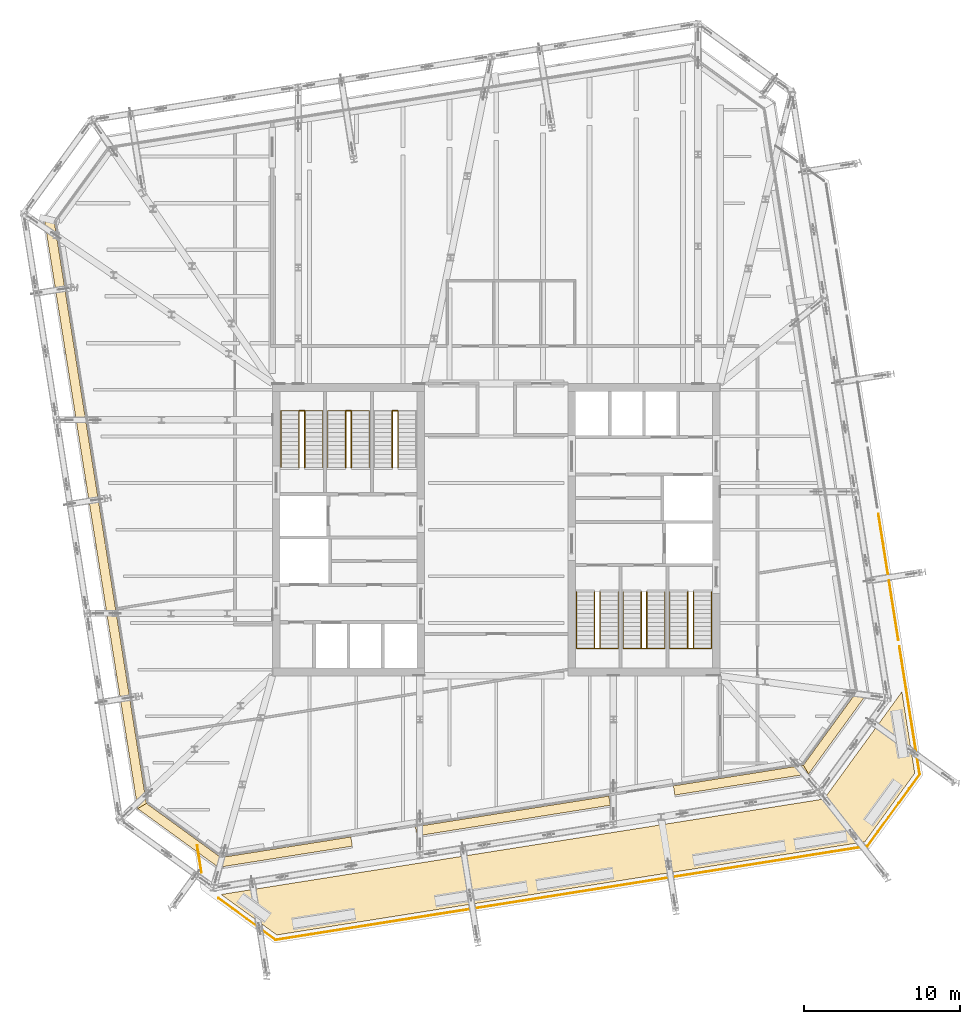
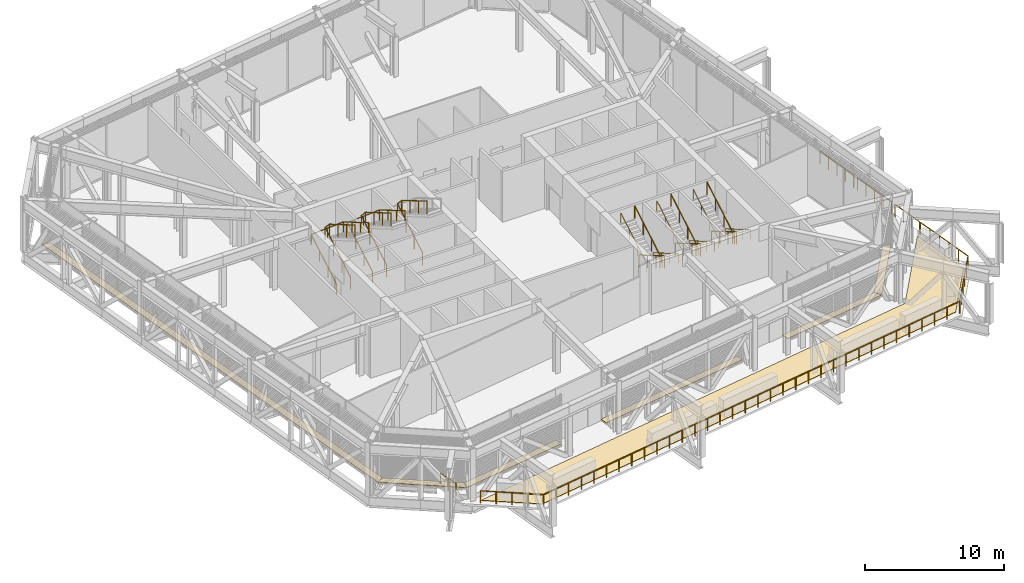
# One storey, part 33 of 35: 16 railings, 7 coverings.
"""IFC4 building model written with IfcOpenShell, lengths in metres."""

from ifc_helpers import new_model, si_unit, direction, frame, origin, origin_2d, place, context, subcontext, project, spatial, polyline, circle, outline, extrude, material, layer, layer_set, type_object, element, save


model = new_model("IFC4")

# Units and contexts
model_context = context("Model", 3, precision=1e-05, world=origin(), true_north=direction((0.0, 1.0)))
body_context = subcontext(model_context, "Body", "Model", "MODEL_VIEW")
ifc_project = project(units=[si_unit("LENGTHUNIT", "METRE"), si_unit("AREAUNIT", "SQUARE_METRE"), si_unit("VOLUMEUNIT", "CUBIC_METRE"), si_unit("PLANEANGLEUNIT", "RADIAN"), si_unit("MASSUNIT", "GRAM", prefix="KILO")], contexts=[model_context])

# Site, building, storey
site_placement = place(None, origin())
site = spatial("IfcSite", under=ifc_project, at=site_placement, CompositionType="ELEMENT")
building_placement = place(site_placement, origin())
building = spatial("IfcBuilding", under=site, at=building_placement, Name="Millrace Tower", CompositionType="ELEMENT")
storey_placement = place(building_placement, frame((0.0, 0.0, 200.10009765625)))
storey = spatial("IfcBuildingStorey", under=building, at=storey_placement, Name="L45", CompositionType="ELEMENT", Elevation=200.10009765625)

# Coverings
ifc_material_1 = material(Name="Steel ASTM A36", Category="steel")
ifc_layer_1 = layer(ifc_material_1, 0.050048828125)
ifc_layer_set_1 = layer_set([ifc_layer_1], Name="Steel ASTM A36")
covering_type_1 = type_object("IfcCoveringType", Name="CAVITY CATWALK steel grating", PredefinedType="FLOORING", material=ifc_layer_set_1)
placement = place(storey_placement, frame((0.0, 0.0, 0.099853515625)))
element("IfcCovering", 1, at=placement, inside=storey, type_object=covering_type_1, Name="Cavity catwalk grating D-F01 L45 1", PredefinedType="FLOORING", context=body_context, shape_type="SweptSolid", body=[
    extrude(outline(polyline([(-23.052490234375, -17.939453125), (-17.85888671875, -21.712890625), (-17.707275390625, -21.081298828125), (-22.49853515625, -17.60009765625), (-23.052490234375, -17.939453125)])), origin(), (0.0, 0.0, 1.0), 0.050048828125),
])
element("IfcCovering", 2, at=placement, inside=storey, type_object=covering_type_1, Name="Cavity catwalk grating D-F02 L45 1", PredefinedType="FLOORING", context=body_context, shape_type="SweptSolid", body=[
    extrude(outline(polyline([(-17.85888671875, -21.712890625), (-9.25537109375, -20.35009765625), (-9.349365234375, -19.757568359375), (-17.707275390625, -21.081298828125), (-17.85888671875, -21.712890625)])), origin(), (0.0, 0.0, 1.0), 0.050048828125),
])
element("IfcCovering", 3, at=placement, inside=storey, type_object=covering_type_1, Name="Cavity catwalk grating D-F02 L45 2", PredefinedType="FLOORING", context=body_context, shape_type="SweptSolid", body=[
    extrude(outline(polyline([(-5.107177734375, -19.693115234375), (7.337646484375, -17.72216796875), (7.243896484375, -17.12939453125), (-5.200927734375, -19.1005859375), (-5.107177734375, -19.693115234375)])), origin(), (0.0, 0.0, 1.0), 0.050048828125),
])
element("IfcCovering", 4, at=placement, inside=storey, type_object=covering_type_1, Name="Cavity catwalk grating D-F02 L45 3", PredefinedType="FLOORING", context=body_context, shape_type="SweptSolid", body=[
    extrude(outline(polyline([(11.486083984375, -17.06494140625), (20.08935546875, -15.702392578125), (19.750244140625, -15.148681640625), (11.39208984375, -16.472412109375), (11.486083984375, -17.06494140625)])), origin(), (0.0, 0.0, 1.0), 0.050048828125),
])
element("IfcCovering", 5, at=placement, inside=storey, type_object=covering_type_1, Name="Cavity catwalk grating D-F03 L45 1", PredefinedType="FLOORING", context=body_context, shape_type="SweptSolid", body=[
    extrude(outline(polyline([(20.08935546875, -15.702392578125), (23.86279296875, -10.5087890625), (23.231201171875, -10.357177734375), (19.750244140625, -15.148681640625), (20.08935546875, -15.702392578125)])), origin(), (0.0, 0.0, 1.0), 0.050048828125),
])
element("IfcCovering", 6, at=placement, inside=storey, type_object=covering_type_1, Name="Cavity catwalk grating D-F08 L45 1", PredefinedType="FLOORING", context=body_context, shape_type="SweptSolid", body=[
    extrude(outline(polyline([(-29.062744140625, 20.0087890625), (-23.052490234375, -17.939453125), (-22.49853515625, -17.60009765625), (-28.431396484375, 19.857177734375), (-29.062744140625, 20.0087890625)])), origin(), (0.0, 0.0, 1.0), 0.050048828125),
])
ifc_material_2 = material(Name="Bituminous roofing membrane on rigid insulation")
ifc_layer_2 = layer(ifc_material_2, 0.0400390625)
ifc_layer_set_2 = layer_set([ifc_layer_2], Name="Bituminous roofing membrane on rigid insulation")
covering_type_2 = type_object("IfcCoveringType", Name="Roofing membrane and insulation 40 mm", PredefinedType="ROOFING", material=ifc_layer_set_2)
covering_7_placement = place(storey_placement, origin())
element("IfcCovering", 7, at=covering_7_placement, inside=storey, type_object=covering_type_2, Name="Roofing membrane and insulation T-L44-1", PredefinedType="ROOFING", context=body_context, shape_type="SweptSolid", body=[
    extrude(outline(polyline([(21.0791015625, -17.3173828125), (-17.692138671875, -23.458251953125), (-14.109130859375, -26.0615234375), (23.705322265625, -20.072265625), (26.911376953125, -15.6591796875), (26.083251953125, -10.429931640625), (21.0791015625, -17.3173828125)])), origin(), (0.0, 0.0, 1.0), 0.039794921875),
])

# Railings
ifc_material_3 = material(Name="Stainless steel ASTM A240 type 316", Category="steel")
railing_type_1 = type_object("IfcRailingType", Name="Stair guard 1100", PredefinedType="GUARDRAIL", material=ifc_material_3)
for number, where, name in (
    (8, (-12.679931640625, 4.0, 0.164306640625), "Stair guard 1 W L45"),
    (9, (-9.679931640625, 4.0, 0.164306640625), "Stair guard 2 W L45"),
    (10, (-6.679931640625, 4.0, 0.164306640625), "Stair guard 3 W L45"),
):
    element("IfcRailing", number, at=place(storey_placement, frame(where)), inside=storey, type_object=railing_type_1, Name=name, PredefinedType="GUARDRAIL", context=body_context, shape_type="SweptSolid", body=[
        extrude(circle(Radius=0.02392578125, at=origin_2d()), frame((0.0, 0.0, 1.076171875), z_axis=(0.0, 0.862515142463, 0.50603125301), x_axis=(-1.0, 0.0, 0.0)), (0.0, 0.0, 1.0), 4.219970703125),
        extrude(circle(Radius=0.02392578125, at=origin_2d()), frame((0.0, 3.639892578125, 3.21142578125), z_axis=(0.90966772904, 0.0, 0.415336758239), x_axis=(0.0, 1.0, 0.0)), (0.0, 0.0, 1.0), 0.3955078125),
        extrude(circle(Radius=0.02392578125, at=origin_2d()), frame((0.35986328125, 3.639892578125, 3.3759765625), z_axis=(0.0, -0.862489892076, 0.506074289079), x_axis=(1.0, 0.0, 0.0)), (0.0, 0.0, 1.0), 4.22021484375),
        extrude(circle(Radius=0.02099609375, at=origin_2d()), origin(), (0.0, 0.0, 1.0), 1.052001953125),
        extrude(circle(Radius=0.02099609375, at=origin_2d()), frame((0.0, 1.21337890625, 0.7119140625)), (0.0, 0.0, 1.0), 1.052001953125),
        extrude(circle(Radius=0.02099609375, at=origin_2d()), frame((0.0, 2.426513671875, 1.423583984375)), (0.0, 0.0, 1.0), 1.052001953125),
        extrude(circle(Radius=0.02099609375, at=origin_2d()), frame((0.0, 3.639892578125, 2.135498046875)), (0.0, 0.0, 1.0), 1.052001953125),
        extrude(circle(Radius=0.02099609375, at=origin_2d()), frame((0.35986328125, 3.639892578125, 2.2998046875)), (0.0, 0.0, 1.0), 1.052001953125),
        extrude(circle(Radius=0.02099609375, at=origin_2d()), frame((0.35986328125, 2.426513671875, 3.01171875)), (0.0, 0.0, 1.0), 1.052001953125),
        extrude(circle(Radius=0.02099609375, at=origin_2d()), frame((0.35986328125, 1.21337890625, 3.7236328125)), (0.0, 0.0, 1.0), 1.052001953125),
        extrude(circle(Radius=0.02099609375, at=origin_2d()), frame((0.35986328125, 0.0, 4.435546875)), (0.0, 0.0, 1.0), 1.052001953125),
    ])
for number, where, name in (
    (11, (12.679931640625, -4.0, 0.164306640625), "Stair guard 1 E L45"),
    (12, (9.679931640625, -4.0, 0.164306640625), "Stair guard 2 E L45"),
    (13, (6.679931640625, -4.0, 0.164306640625), "Stair guard 3 E L45"),
):
    element("IfcRailing", number, at=place(storey_placement, frame(where)), inside=storey, type_object=railing_type_1, Name=name, PredefinedType="GUARDRAIL", context=body_context, shape_type="SweptSolid", body=[
        extrude(circle(Radius=0.02392578125, at=origin_2d()), frame((0.0, 0.0, 1.076171875), z_axis=(0.0, -0.862515142463, 0.50603125301), x_axis=(1.0, 0.0, 0.0)), (0.0, 0.0, 1.0), 4.219970703125),
        extrude(circle(Radius=0.02392578125, at=origin_2d()), frame((0.0, -3.639892578125, 3.21142578125), z_axis=(-0.90966772904, 0.0, 0.415336758239), x_axis=(0.0, -1.0, 0.0)), (0.0, 0.0, 1.0), 0.3955078125),
        extrude(circle(Radius=0.02392578125, at=origin_2d()), frame((-0.35986328125, -3.639892578125, 3.3759765625), z_axis=(0.0, 0.862489892076, 0.506074289079), x_axis=(-1.0, 0.0, 0.0)), (0.0, 0.0, 1.0), 4.22021484375),
        extrude(circle(Radius=0.02099609375, at=origin_2d()), origin(), (0.0, 0.0, 1.0), 1.052001953125),
        extrude(circle(Radius=0.02099609375, at=origin_2d()), frame((0.0, -1.21337890625, 0.7119140625)), (0.0, 0.0, 1.0), 1.052001953125),
        extrude(circle(Radius=0.02099609375, at=origin_2d()), frame((0.0, -2.426513671875, 1.423583984375)), (0.0, 0.0, 1.0), 1.052001953125),
        extrude(circle(Radius=0.02099609375, at=origin_2d()), frame((0.0, -3.639892578125, 2.135498046875)), (0.0, 0.0, 1.0), 1.052001953125),
        extrude(circle(Radius=0.02099609375, at=origin_2d()), frame((-0.35986328125, -3.639892578125, 2.2998046875)), (0.0, 0.0, 1.0), 1.052001953125),
        extrude(circle(Radius=0.02099609375, at=origin_2d()), frame((-0.35986328125, -2.426513671875, 3.01171875)), (0.0, 0.0, 1.0), 1.052001953125),
        extrude(circle(Radius=0.02099609375, at=origin_2d()), frame((-0.35986328125, -1.21337890625, 3.7236328125)), (0.0, 0.0, 1.0), 1.052001953125),
        extrude(circle(Radius=0.02099609375, at=origin_2d()), frame((-0.35986328125, 0.0, 4.435546875)), (0.0, 0.0, 1.0), 1.052001953125),
    ])
ifc_material_4 = material(Name="Stainless steel ASTM A240 type 316", Category="steel")
railing_type_2 = type_object("IfcRailingType", Name="Stair handrail 900", PredefinedType="HANDRAIL", material=ifc_material_4)
railing_1_placement = place(storey_placement, frame((-13.840087890625, 4.0, 0.164306640625)))
element("IfcRailing", 14, at=railing_1_placement, inside=storey, type_object=railing_type_2, Name="Stair handrail 1 W L45", PredefinedType="HANDRAIL", context=body_context, shape_type="SweptSolid", body=[
    extrude(circle(Radius=0.02392578125, at=origin_2d()), frame((0.0, 0.0, 0.8759765625), z_axis=(0.0, 0.862515142463, 0.50603125301), x_axis=(-1.0, 0.0, 0.0)), (0.0, 0.0, 1.0), 4.219970703125),
    extrude(circle(Radius=0.02392578125, at=origin_2d()), frame((0.0, 3.639892578125, 3.01123046875), z_axis=(0.998126163697, 0.0, 0.061189552575), x_axis=(0.0, 1.0, 0.0)), (0.0, 0.0, 1.0), 2.685302734375),
    extrude(circle(Radius=0.02392578125, at=origin_2d()), frame((2.68017578125, 3.639892578125, 3.17578125), z_axis=(0.0, -0.862489892076, 0.506074289079), x_axis=(1.0, 0.0, 0.0)), (0.0, 0.0, 1.0), 4.22021484375),
    extrude(circle(Radius=0.02099609375, at=origin_2d()), origin(), (0.0, 0.0, 1.0), 0.851806640625),
    extrude(circle(Radius=0.02099609375, at=origin_2d()), frame((0.0, 1.21337890625, 0.7119140625)), (0.0, 0.0, 1.0), 0.851806640625),
    extrude(circle(Radius=0.02099609375, at=origin_2d()), frame((0.0, 2.426513671875, 1.423583984375)), (0.0, 0.0, 1.0), 0.851806640625),
    extrude(circle(Radius=0.02099609375, at=origin_2d()), frame((0.0, 3.639892578125, 2.135498046875)), (0.0, 0.0, 1.0), 0.851806640625),
    extrude(circle(Radius=0.02099609375, at=origin_2d()), frame((1.340087890625, 3.639892578125, 2.2177734375)), (0.0, 0.0, 1.0), 0.851806640625),
    extrude(circle(Radius=0.02099609375, at=origin_2d()), frame((2.68017578125, 3.639892578125, 2.2998046875)), (0.0, 0.0, 1.0), 0.851806640625),
    extrude(circle(Radius=0.02099609375, at=origin_2d()), frame((2.68017578125, 2.426513671875, 3.01171875)), (0.0, 0.0, 1.0), 0.851806640625),
    extrude(circle(Radius=0.02099609375, at=origin_2d()), frame((2.68017578125, 1.21337890625, 3.7236328125)), (0.0, 0.0, 1.0), 0.851806640625),
    extrude(circle(Radius=0.02099609375, at=origin_2d()), frame((2.68017578125, 0.0, 4.435546875)), (0.0, 0.0, 1.0), 0.851806640625),
])
railing_2_placement = place(storey_placement, frame((-10.840087890625, 4.0, 0.164306640625)))
element("IfcRailing", 15, at=railing_2_placement, inside=storey, type_object=railing_type_2, Name="Stair handrail 2 W L45", PredefinedType="HANDRAIL", context=body_context, shape_type="SweptSolid", body=[
    extrude(circle(Radius=0.02392578125, at=origin_2d()), frame((0.0, 0.0, 0.8759765625), z_axis=(0.0, 0.862515142463, 0.50603125301), x_axis=(-1.0, 0.0, 0.0)), (0.0, 0.0, 1.0), 4.219970703125),
    extrude(circle(Radius=0.02392578125, at=origin_2d()), frame((0.0, 3.639892578125, 3.01123046875), z_axis=(0.998126163697, 0.0, 0.061189552575), x_axis=(0.0, 1.0, 0.0)), (0.0, 0.0, 1.0), 2.685302734375),
    extrude(circle(Radius=0.02392578125, at=origin_2d()), frame((2.68017578125, 3.639892578125, 3.17578125), z_axis=(0.0, -0.862489892076, 0.506074289079), x_axis=(1.0, 0.0, 0.0)), (0.0, 0.0, 1.0), 4.22021484375),
    extrude(circle(Radius=0.02099609375, at=origin_2d()), origin(), (0.0, 0.0, 1.0), 0.851806640625),
    extrude(circle(Radius=0.02099609375, at=origin_2d()), frame((0.0, 1.21337890625, 0.7119140625)), (0.0, 0.0, 1.0), 0.851806640625),
    extrude(circle(Radius=0.02099609375, at=origin_2d()), frame((0.0, 2.426513671875, 1.423583984375)), (0.0, 0.0, 1.0), 0.851806640625),
    extrude(circle(Radius=0.02099609375, at=origin_2d()), frame((0.0, 3.639892578125, 2.135498046875)), (0.0, 0.0, 1.0), 0.851806640625),
    extrude(circle(Radius=0.02099609375, at=origin_2d()), frame((1.340087890625, 3.639892578125, 2.2177734375)), (0.0, 0.0, 1.0), 0.851806640625),
    extrude(circle(Radius=0.02099609375, at=origin_2d()), frame((2.68017578125, 3.639892578125, 2.2998046875)), (0.0, 0.0, 1.0), 0.851806640625),
    extrude(circle(Radius=0.02099609375, at=origin_2d()), frame((2.68017578125, 2.426513671875, 3.01171875)), (0.0, 0.0, 1.0), 0.851806640625),
    extrude(circle(Radius=0.02099609375, at=origin_2d()), frame((2.68017578125, 1.21337890625, 3.7236328125)), (0.0, 0.0, 1.0), 0.851806640625),
    extrude(circle(Radius=0.02099609375, at=origin_2d()), frame((2.68017578125, 0.0, 4.435546875)), (0.0, 0.0, 1.0), 0.851806640625),
])
railing_3_placement = place(storey_placement, frame((13.840087890625, -4.0, 0.164306640625)))
element("IfcRailing", 16, at=railing_3_placement, inside=storey, type_object=railing_type_2, Name="Stair handrail 1 E L45", PredefinedType="HANDRAIL", context=body_context, shape_type="SweptSolid", body=[
    extrude(circle(Radius=0.02392578125, at=origin_2d()), frame((0.0, 0.0, 0.8759765625), z_axis=(0.0, -0.862515142463, 0.50603125301), x_axis=(1.0, 0.0, 0.0)), (0.0, 0.0, 1.0), 4.219970703125),
    extrude(circle(Radius=0.02392578125, at=origin_2d()), frame((0.0, -3.639892578125, 3.01123046875), z_axis=(-0.998126163697, 0.0, 0.061189552575), x_axis=(0.0, -1.0, 0.0)), (0.0, 0.0, 1.0), 2.685302734375),
    extrude(circle(Radius=0.02392578125, at=origin_2d()), frame((-2.68017578125, -3.639892578125, 3.17578125), z_axis=(0.0, 0.862489892076, 0.506074289079), x_axis=(-1.0, 0.0, 0.0)), (0.0, 0.0, 1.0), 4.22021484375),
    extrude(circle(Radius=0.02099609375, at=origin_2d()), origin(), (0.0, 0.0, 1.0), 0.851806640625),
    extrude(circle(Radius=0.02099609375, at=origin_2d()), frame((0.0, -1.21337890625, 0.7119140625)), (0.0, 0.0, 1.0), 0.851806640625),
    extrude(circle(Radius=0.02099609375, at=origin_2d()), frame((0.0, -2.426513671875, 1.423583984375)), (0.0, 0.0, 1.0), 0.851806640625),
    extrude(circle(Radius=0.02099609375, at=origin_2d()), frame((0.0, -3.639892578125, 2.135498046875)), (0.0, 0.0, 1.0), 0.851806640625),
    extrude(circle(Radius=0.02099609375, at=origin_2d()), frame((-1.340087890625, -3.639892578125, 2.2177734375)), (0.0, 0.0, 1.0), 0.851806640625),
    extrude(circle(Radius=0.02099609375, at=origin_2d()), frame((-2.68017578125, -3.639892578125, 2.2998046875)), (0.0, 0.0, 1.0), 0.851806640625),
    extrude(circle(Radius=0.02099609375, at=origin_2d()), frame((-2.68017578125, -2.426513671875, 3.01171875)), (0.0, 0.0, 1.0), 0.851806640625),
    extrude(circle(Radius=0.02099609375, at=origin_2d()), frame((-2.68017578125, -1.21337890625, 3.7236328125)), (0.0, 0.0, 1.0), 0.851806640625),
    extrude(circle(Radius=0.02099609375, at=origin_2d()), frame((-2.68017578125, 0.0, 4.435546875)), (0.0, 0.0, 1.0), 0.851806640625),
])
railing_4_placement = place(storey_placement, frame((10.840087890625, -4.0, 0.164306640625)))
element("IfcRailing", 17, at=railing_4_placement, inside=storey, type_object=railing_type_2, Name="Stair handrail 2 E L45", PredefinedType="HANDRAIL", context=body_context, shape_type="SweptSolid", body=[
    extrude(circle(Radius=0.02392578125, at=origin_2d()), frame((0.0, 0.0, 0.8759765625), z_axis=(0.0, -0.862515142463, 0.50603125301), x_axis=(1.0, 0.0, 0.0)), (0.0, 0.0, 1.0), 4.219970703125),
    extrude(circle(Radius=0.02392578125, at=origin_2d()), frame((0.0, -3.639892578125, 3.01123046875), z_axis=(-0.998126163697, 0.0, 0.061189552575), x_axis=(0.0, -1.0, 0.0)), (0.0, 0.0, 1.0), 2.685302734375),
    extrude(circle(Radius=0.02392578125, at=origin_2d()), frame((-2.68017578125, -3.639892578125, 3.17578125), z_axis=(0.0, 0.862489892076, 0.506074289079), x_axis=(-1.0, 0.0, 0.0)), (0.0, 0.0, 1.0), 4.22021484375),
    extrude(circle(Radius=0.02099609375, at=origin_2d()), origin(), (0.0, 0.0, 1.0), 0.851806640625),
    extrude(circle(Radius=0.02099609375, at=origin_2d()), frame((0.0, -1.21337890625, 0.7119140625)), (0.0, 0.0, 1.0), 0.851806640625),
    extrude(circle(Radius=0.02099609375, at=origin_2d()), frame((0.0, -2.426513671875, 1.423583984375)), (0.0, 0.0, 1.0), 0.851806640625),
    extrude(circle(Radius=0.02099609375, at=origin_2d()), frame((0.0, -3.639892578125, 2.135498046875)), (0.0, 0.0, 1.0), 0.851806640625),
    extrude(circle(Radius=0.02099609375, at=origin_2d()), frame((-1.340087890625, -3.639892578125, 2.2177734375)), (0.0, 0.0, 1.0), 0.851806640625),
    extrude(circle(Radius=0.02099609375, at=origin_2d()), frame((-2.68017578125, -3.639892578125, 2.2998046875)), (0.0, 0.0, 1.0), 0.851806640625),
    extrude(circle(Radius=0.02099609375, at=origin_2d()), frame((-2.68017578125, -2.426513671875, 3.01171875)), (0.0, 0.0, 1.0), 0.851806640625),
    extrude(circle(Radius=0.02099609375, at=origin_2d()), frame((-2.68017578125, -1.21337890625, 3.7236328125)), (0.0, 0.0, 1.0), 0.851806640625),
    extrude(circle(Radius=0.02099609375, at=origin_2d()), frame((-2.68017578125, 0.0, 4.435546875)), (0.0, 0.0, 1.0), 0.851806640625),
])
railing_5_placement = place(storey_placement, frame((7.840087890625, -4.0, 0.164306640625)))
element("IfcRailing", 18, at=railing_5_placement, inside=storey, type_object=railing_type_2, Name="Stair handrail 3 E L45", PredefinedType="HANDRAIL", context=body_context, shape_type="SweptSolid", body=[
    extrude(circle(Radius=0.02392578125, at=origin_2d()), frame((0.0, 0.0, 0.8759765625), z_axis=(0.0, -0.862515142463, 0.50603125301), x_axis=(1.0, 0.0, 0.0)), (0.0, 0.0, 1.0), 4.219970703125),
    extrude(circle(Radius=0.02392578125, at=origin_2d()), frame((0.0, -3.639892578125, 3.01123046875), z_axis=(-0.998126163697, 0.0, 0.061189552575), x_axis=(0.0, -1.0, 0.0)), (0.0, 0.0, 1.0), 2.685302734375),
    extrude(circle(Radius=0.02392578125, at=origin_2d()), frame((-2.68017578125, -3.639892578125, 3.17578125), z_axis=(0.0, 0.862489892076, 0.506074289079), x_axis=(-1.0, 0.0, 0.0)), (0.0, 0.0, 1.0), 4.22021484375),
    extrude(circle(Radius=0.02099609375, at=origin_2d()), origin(), (0.0, 0.0, 1.0), 0.851806640625),
    extrude(circle(Radius=0.02099609375, at=origin_2d()), frame((0.0, -1.21337890625, 0.7119140625)), (0.0, 0.0, 1.0), 0.851806640625),
    extrude(circle(Radius=0.02099609375, at=origin_2d()), frame((0.0, -2.426513671875, 1.423583984375)), (0.0, 0.0, 1.0), 0.851806640625),
    extrude(circle(Radius=0.02099609375, at=origin_2d()), frame((0.0, -3.639892578125, 2.135498046875)), (0.0, 0.0, 1.0), 0.851806640625),
    extrude(circle(Radius=0.02099609375, at=origin_2d()), frame((-1.340087890625, -3.639892578125, 2.2177734375)), (0.0, 0.0, 1.0), 0.851806640625),
    extrude(circle(Radius=0.02099609375, at=origin_2d()), frame((-2.68017578125, -3.639892578125, 2.2998046875)), (0.0, 0.0, 1.0), 0.851806640625),
    extrude(circle(Radius=0.02099609375, at=origin_2d()), frame((-2.68017578125, -2.426513671875, 3.01171875)), (0.0, 0.0, 1.0), 0.851806640625),
    extrude(circle(Radius=0.02099609375, at=origin_2d()), frame((-2.68017578125, -1.21337890625, 3.7236328125)), (0.0, 0.0, 1.0), 0.851806640625),
    extrude(circle(Radius=0.02099609375, at=origin_2d()), frame((-2.68017578125, 0.0, 4.435546875)), (0.0, 0.0, 1.0), 0.851806640625),
])
ifc_material_5 = material(Name="Stainless steel ASTM A240 type 316", Category="steel")
railing_type_3 = type_object("IfcRailingType", Name="Terrace guard 1100", PredefinedType="GUARDRAIL", material=ifc_material_5)
railing_6_placement = place(storey_placement, frame((-17.86865234375, -23.700927734375, 0.0)))
element("IfcRailing", 19, at=railing_6_placement, inside=storey, type_object=railing_type_3, Name="Terrace guard T-L44-1 1", PredefinedType="GUARDRAIL", context=body_context, shape_type="SweptSolid", body=[
    extrude(circle(Radius=0.02392578125, at=origin_2d()), frame((0.0, 0.0, 1.076171875), z_axis=(0.809018872606, -0.58778266712, 0.0), x_axis=(0.58778266712, 0.809018872606, 0.0)), (0.0, 0.0, 1.0), 4.55322265625),
    extrude(circle(Radius=0.02392578125, at=origin_2d()), frame((3.68359375, -2.67626953125, 1.076171875), z_axis=(0.987688365612, 0.156434307091, 0.0), x_axis=(-0.156434307091, 0.987688365612, 0.0)), (0.0, 0.0, 1.0), 38.5341796875),
    extrude(circle(Radius=0.02392578125, at=origin_2d()), frame((41.743408203125, 3.351806640625, 1.076171875), z_axis=(0.587815307546, 0.808995157102, 0.0), x_axis=(-0.808995157102, 0.587815307546, 0.0)), (0.0, 0.0, 1.0), 5.703369140625),
    extrude(circle(Radius=0.02392578125, at=origin_2d()), frame((45.095947265625, 7.9658203125, 1.076171875), z_axis=(-0.156473858897, 0.987682100416, 0.0), x_axis=(-0.987682100416, -0.156473858897, 0.0)), (0.0, 0.0, 1.0), 5.418701171875),
    extrude(circle(Radius=0.02099609375, at=origin_2d()), origin(), (0.0, 0.0, 1.0), 1.052001953125),
    extrude(circle(Radius=0.02099609375, at=origin_2d()), frame((0.9208984375, -0.6689453125, 0.0)), (0.0, 0.0, 1.0), 1.052001953125),
    extrude(circle(Radius=0.02099609375, at=origin_2d()), frame((1.841796875, -1.338134765625, 0.0)), (0.0, 0.0, 1.0), 1.052001953125),
    extrude(circle(Radius=0.02099609375, at=origin_2d()), frame((2.7626953125, -2.00732421875, 0.0)), (0.0, 0.0, 1.0), 1.052001953125),
    extrude(circle(Radius=0.02099609375, at=origin_2d()), frame((3.68359375, -2.67626953125, 0.0)), (0.0, 0.0, 1.0), 1.052001953125),
    extrude(circle(Radius=0.02099609375, at=origin_2d()), frame((4.8369140625, -2.49365234375, 0.0)), (0.0, 0.0, 1.0), 1.052001953125),
    extrude(circle(Radius=0.02099609375, at=origin_2d()), frame((5.990234375, -2.31103515625, 0.0)), (0.0, 0.0, 1.0), 1.052001953125),
    extrude(circle(Radius=0.02099609375, at=origin_2d()), frame((7.1435546875, -2.128173828125, 0.0)), (0.0, 0.0, 1.0), 1.052001953125),
    extrude(circle(Radius=0.02099609375, at=origin_2d()), frame((8.296875, -1.945556640625, 0.0)), (0.0, 0.0, 1.0), 1.052001953125),
    extrude(circle(Radius=0.02099609375, at=origin_2d()), frame((9.4501953125, -1.762939453125, 0.0)), (0.0, 0.0, 1.0), 1.052001953125),
    extrude(circle(Radius=0.02099609375, at=origin_2d()), frame((10.603515625, -1.580322265625, 0.0)), (0.0, 0.0, 1.0), 1.052001953125),
    extrude(circle(Radius=0.02099609375, at=origin_2d()), frame((11.7568359375, -1.397705078125, 0.0)), (0.0, 0.0, 1.0), 1.052001953125),
    extrude(circle(Radius=0.02099609375, at=origin_2d()), frame((12.91015625, -1.21484375, 0.0)), (0.0, 0.0, 1.0), 1.052001953125),
    extrude(circle(Radius=0.02099609375, at=origin_2d()), frame((14.0634765625, -1.0322265625, 0.0)), (0.0, 0.0, 1.0), 1.052001953125),
    extrude(circle(Radius=0.02099609375, at=origin_2d()), frame((15.216796875, -0.849609375, 0.0)), (0.0, 0.0, 1.0), 1.052001953125),
    extrude(circle(Radius=0.02099609375, at=origin_2d()), frame((16.3701171875, -0.6669921875, 0.0)), (0.0, 0.0, 1.0), 1.052001953125),
    extrude(circle(Radius=0.02099609375, at=origin_2d()), frame((17.5234375, -0.484130859375, 0.0)), (0.0, 0.0, 1.0), 1.052001953125),
    extrude(circle(Radius=0.02099609375, at=origin_2d()), frame((18.6767578125, -0.301513671875, 0.0)), (0.0, 0.0, 1.0), 1.052001953125),
    extrude(circle(Radius=0.02099609375, at=origin_2d()), frame((19.830078125, -0.118896484375, 0.0)), (0.0, 0.0, 1.0), 1.052001953125),
    extrude(circle(Radius=0.02099609375, at=origin_2d()), frame((20.9833984375, 0.063720703125, 0.0)), (0.0, 0.0, 1.0), 1.052001953125),
    extrude(circle(Radius=0.02099609375, at=origin_2d()), frame((22.13671875, 0.246337890625, 0.0)), (0.0, 0.0, 1.0), 1.052001953125),
    extrude(circle(Radius=0.02099609375, at=origin_2d()), frame((23.290283203125, 0.42919921875, 0.0)), (0.0, 0.0, 1.0), 1.052001953125),
    extrude(circle(Radius=0.02099609375, at=origin_2d()), frame((24.443603515625, 0.61181640625, 0.0)), (0.0, 0.0, 1.0), 1.052001953125),
    extrude(circle(Radius=0.02099609375, at=origin_2d()), frame((25.596923828125, 0.79443359375, 0.0)), (0.0, 0.0, 1.0), 1.052001953125),
    extrude(circle(Radius=0.02099609375, at=origin_2d()), frame((26.750244140625, 0.97705078125, 0.0)), (0.0, 0.0, 1.0), 1.052001953125),
    extrude(circle(Radius=0.02099609375, at=origin_2d()), frame((27.903564453125, 1.15966796875, 0.0)), (0.0, 0.0, 1.0), 1.052001953125),
    extrude(circle(Radius=0.02099609375, at=origin_2d()), frame((29.056884765625, 1.342529296875, 0.0)), (0.0, 0.0, 1.0), 1.052001953125),
    extrude(circle(Radius=0.02099609375, at=origin_2d()), frame((30.210205078125, 1.525146484375, 0.0)), (0.0, 0.0, 1.0), 1.052001953125),
    extrude(circle(Radius=0.02099609375, at=origin_2d()), frame((31.363525390625, 1.707763671875, 0.0)), (0.0, 0.0, 1.0), 1.052001953125),
    extrude(circle(Radius=0.02099609375, at=origin_2d()), frame((32.516845703125, 1.890380859375, 0.0)), (0.0, 0.0, 1.0), 1.052001953125),
    extrude(circle(Radius=0.02099609375, at=origin_2d()), frame((33.670166015625, 2.0732421875, 0.0)), (0.0, 0.0, 1.0), 1.052001953125),
    extrude(circle(Radius=0.02099609375, at=origin_2d()), frame((34.823486328125, 2.255859375, 0.0)), (0.0, 0.0, 1.0), 1.052001953125),
    extrude(circle(Radius=0.02099609375, at=origin_2d()), frame((35.976806640625, 2.4384765625, 0.0)), (0.0, 0.0, 1.0), 1.052001953125),
    extrude(circle(Radius=0.02099609375, at=origin_2d()), frame((37.130126953125, 2.62109375, 0.0)), (0.0, 0.0, 1.0), 1.052001953125),
    extrude(circle(Radius=0.02099609375, at=origin_2d()), frame((38.283447265625, 2.8037109375, 0.0)), (0.0, 0.0, 1.0), 1.052001953125),
    extrude(circle(Radius=0.02099609375, at=origin_2d()), frame((39.436767578125, 2.986572265625, 0.0)), (0.0, 0.0, 1.0), 1.052001953125),
    extrude(circle(Radius=0.02099609375, at=origin_2d()), frame((40.590087890625, 3.169189453125, 0.0)), (0.0, 0.0, 1.0), 1.052001953125),
    extrude(circle(Radius=0.02099609375, at=origin_2d()), frame((41.743408203125, 3.351806640625, 0.0)), (0.0, 0.0, 1.0), 1.052001953125),
    extrude(circle(Radius=0.02099609375, at=origin_2d()), frame((42.413818359375, 4.274658203125, 0.0)), (0.0, 0.0, 1.0), 1.052001953125),
    extrude(circle(Radius=0.02099609375, at=origin_2d()), frame((43.08447265625, 5.197509765625, 0.0)), (0.0, 0.0, 1.0), 1.052001953125),
    extrude(circle(Radius=0.02099609375, at=origin_2d()), frame((43.7548828125, 6.1201171875, 0.0)), (0.0, 0.0, 1.0), 1.052001953125),
    extrude(circle(Radius=0.02099609375, at=origin_2d()), frame((44.425537109375, 7.04296875, 0.0)), (0.0, 0.0, 1.0), 1.052001953125),
    extrude(circle(Radius=0.02099609375, at=origin_2d()), frame((45.095947265625, 7.9658203125, 0.0)), (0.0, 0.0, 1.0), 1.052001953125),
    extrude(circle(Radius=0.02099609375, at=origin_2d()), frame((44.92626953125, 9.0361328125, 0.0)), (0.0, 0.0, 1.0), 1.052001953125),
    extrude(circle(Radius=0.02099609375, at=origin_2d()), frame((44.7568359375, 10.106689453125, 0.0)), (0.0, 0.0, 1.0), 1.052001953125),
    extrude(circle(Radius=0.02099609375, at=origin_2d()), frame((44.587158203125, 11.177001953125, 0.0)), (0.0, 0.0, 1.0), 1.052001953125),
    extrude(circle(Radius=0.02099609375, at=origin_2d()), frame((44.417724609375, 12.24755859375, 0.0)), (0.0, 0.0, 1.0), 1.052001953125),
    extrude(circle(Radius=0.02099609375, at=origin_2d()), frame((44.248046875, 13.31787109375, 0.0)), (0.0, 0.0, 1.0), 1.052001953125),
])
railing_7_placement = place(storey_placement, frame((-18.95703125, -22.02734375, 0.0)))
element("IfcRailing", 20, at=railing_7_placement, inside=storey, type_object=railing_type_3, Name="Terrace guard L44 edge 1.1", PredefinedType="GUARDRAIL", context=body_context, shape_type="SweptSolid", body=[
    extrude(circle(Radius=0.02392578125, at=origin_2d()), frame((0.0, 0.0, 1.076171875), z_axis=(-0.156418444073, 0.987690877934, 0.0), x_axis=(-0.987690877934, -0.156418444073, 0.0)), (0.0, 0.0, 1.0), 1.732421875),
    extrude(circle(Radius=0.02099609375, at=origin_2d()), origin(), (0.0, 0.0, 1.0), 1.052001953125),
    extrude(circle(Radius=0.02099609375, at=origin_2d()), frame((-0.135498046875, 0.85546875, 0.0)), (0.0, 0.0, 1.0), 1.052001953125),
    extrude(circle(Radius=0.02099609375, at=origin_2d()), frame((-0.27099609375, 1.711181640625, 0.0)), (0.0, 0.0, 1.0), 1.052001953125),
])
for number, where, name in (
    (21, (24.578125, 0.990234375, 0.0), "Terrace guard L44 edge 1.9"),
    (22, (25.250732421875, -3.2568359375, 0.0), "Terrace guard L44 edge 1.10"),
):
    element("IfcRailing", number, at=place(storey_placement, frame(where)), inside=storey, type_object=railing_type_3, Name=name, PredefinedType="GUARDRAIL", context=body_context, shape_type="SweptSolid", body=[
        extrude(circle(Radius=0.02392578125, at=origin_2d()), frame((0.0, 0.0, 1.076171875), z_axis=(0.156471426521, -0.987682485763, 0.0), x_axis=(0.987682485763, 0.156471426521, 0.0)), (0.0, 0.0, 1.0), 3.867919921875),
        extrude(circle(Radius=0.02099609375, at=origin_2d()), origin(), (0.0, 0.0, 1.0), 1.052001953125),
        extrude(circle(Radius=0.02099609375, at=origin_2d()), frame((0.1513671875, -0.955078125, 0.0)), (0.0, 0.0, 1.0), 1.052001953125),
        extrude(circle(Radius=0.02099609375, at=origin_2d()), frame((0.302734375, -1.91015625, 0.0)), (0.0, 0.0, 1.0), 1.052001953125),
        extrude(circle(Radius=0.02099609375, at=origin_2d()), frame((0.453857421875, -2.865234375, 0.0)), (0.0, 0.0, 1.0), 1.052001953125),
        extrude(circle(Radius=0.02099609375, at=origin_2d()), frame((0.605224609375, -3.8203125, 0.0)), (0.0, 0.0, 1.0), 1.052001953125),
    ])
railing_8_placement = place(storey_placement, frame((25.923583984375, -7.50390625, 0.0)))
element("IfcRailing", 23, at=railing_8_placement, inside=storey, type_object=railing_type_3, Name="Terrace guard L44 edge 1.11", PredefinedType="GUARDRAIL", context=body_context, shape_type="SweptSolid", body=[
    extrude(circle(Radius=0.02392578125, at=origin_2d()), frame((0.0, 0.0, 1.076171875), z_axis=(0.156376760922, -0.987697478302, 0.0), x_axis=(0.987697478302, 0.156376760922, 0.0)), (0.0, 0.0, 1.0), 2.81494140625),
    extrude(circle(Radius=0.02099609375, at=origin_2d()), origin(), (0.0, 0.0, 1.0), 1.052001953125),
    extrude(circle(Radius=0.02099609375, at=origin_2d()), frame((0.146728515625, -0.9267578125, 0.0)), (0.0, 0.0, 1.0), 1.052001953125),
    extrude(circle(Radius=0.02099609375, at=origin_2d()), frame((0.29345703125, -1.853515625, 0.0)), (0.0, 0.0, 1.0), 1.052001953125),
    extrude(circle(Radius=0.02099609375, at=origin_2d()), frame((0.440185546875, -2.7802734375, 0.0)), (0.0, 0.0, 1.0), 1.052001953125),
])

save(model, "model.ifc")
